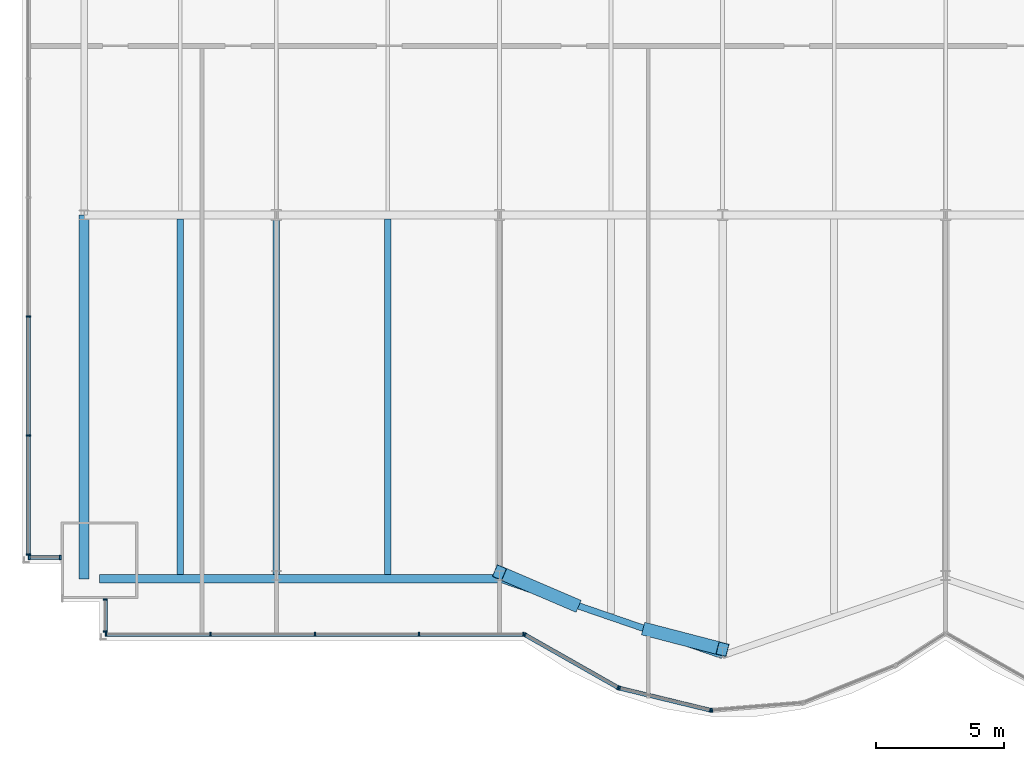
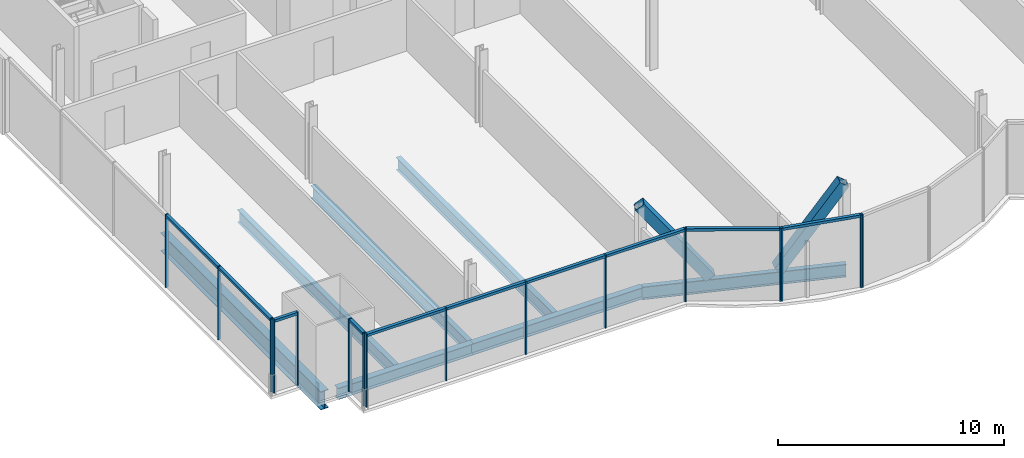
# One storey, part 4 of 21: 29 members, 7 beams, 5 elements without a shape of their own.
"""IFC4 building model written with IfcOpenShell, lengths in metres."""

from ifc_helpers import new_model, si_unit, direction, frame, origin, origin_2d, place, context, subcontext, project, spatial, rectangle, hollow_rectangle, i_section, extrude, material, material_profile, profile_set, type_object, element, aggregate, save


model = new_model("IFC4")

# Units and contexts
model_context = context("Model", 3, precision=1e-05, world=origin(), true_north=direction((0.0, 1.0)))
body_context = subcontext(model_context, "Body", "Model", "MODEL_VIEW")
ifc_project = project(units=[si_unit("LENGTHUNIT", "METRE"), si_unit("AREAUNIT", "SQUARE_METRE"), si_unit("VOLUMEUNIT", "CUBIC_METRE"), si_unit("PLANEANGLEUNIT", "RADIAN"), si_unit("MASSUNIT", "GRAM", prefix="KILO")], contexts=[model_context])

# Site, building, storey
site_placement = place(None, origin())
site = spatial("IfcSite", under=ifc_project, at=site_placement, CompositionType="ELEMENT")
building_placement = place(site_placement, origin())
building = spatial("IfcBuilding", under=site, at=building_placement, Name="Bicima Exchange Tower", CompositionType="ELEMENT")
storey_placement = place(building_placement, frame((0.0, 0.0, 98.10009765625)))
storey = spatial("IfcBuildingStorey", under=building, at=storey_placement, Name="L20", CompositionType="ELEMENT", Elevation=98.10009765625)

# Curtain wall, members
ifc_material_1 = material(Name="Anodised bronze aluminium", Category="aluminium")
curtain_wall_type_1 = type_object("IfcCurtainWallType", Name="End face glass wall", PredefinedType="NOTDEFINED", material=ifc_material_1)
curtain_wall_1_placement = place(storey_placement, origin())
curtain_wall_1 = element("IfcCurtainWall", 1, at=curtain_wall_1_placement, inside=storey, type_object=curtain_wall_type_1, Name="End face glass wall L20 run 2", PredefinedType="NOTDEFINED")
ifc_material_profile_1 = material_profile(ifc_material_1, rectangle(XDim=0.159912109375, YDim=0.06005859375, at=origin_2d()))
ifc_profile_set_1 = profile_set([ifc_material_profile_1], Name="Anodised bronze aluminium")
member_type_1 = type_object("IfcMemberType", Name="End face glass wall mullion 60 x 160", PredefinedType="MULLION", material=ifc_profile_set_1)
member_1_placement = place(storey_placement, frame((-35.77001953125, -25.95849609375, 0.0), z_axis=(0.0, 0.0, 1.0), x_axis=(1.0, 0.0, 0.0)))
member_1 = element("IfcMember", 2, at=member_1_placement, type_object=member_type_1, Name="End face glass wall mullion 4", PredefinedType="MULLION", context=body_context, shape_type="SweptSolid", body=[
    extrude(rectangle(XDim=0.159912109375, YDim=0.06005859375, at=origin_2d()), origin(), (0.0, 0.0, 1.0), 3.949951171875),
])
member_2_placement = place(storey_placement, frame((-35.77001953125, -30.601318359375, 0.0), z_axis=(0.0, 0.0, 1.0), x_axis=(1.0, 0.0, 0.0)))
member_2 = element("IfcMember", 3, at=member_2_placement, type_object=member_type_1, Name="End face glass wall mullion 5", PredefinedType="MULLION", context=body_context, shape_type="SweptSolid", body=[
    extrude(rectangle(XDim=0.159912109375, YDim=0.06005859375, at=origin_2d()), origin(), (0.0, 0.0, 1.0), 3.949951171875),
])
member_3_placement = place(storey_placement, frame((-35.77001953125, -35.243896484375, 0.0), z_axis=(0.0, 0.0, 1.0), x_axis=(1.0, 0.0, 0.0)))
member_3 = element("IfcMember", 4, at=member_3_placement, type_object=member_type_1, Name="End face glass wall mullion 6", PredefinedType="MULLION", context=body_context, shape_type="SweptSolid", body=[
    extrude(rectangle(XDim=0.159912109375, YDim=0.06005859375, at=origin_2d()), origin(), (0.0, 0.0, 1.0), 3.949951171875),
])
ifc_material_profile_2 = material_profile(ifc_material_1, rectangle(XDim=0.159912109375, YDim=0.139892578125, at=origin_2d()))
ifc_profile_set_2 = profile_set([ifc_material_profile_2], Name="Anodised bronze aluminium")
member_type_2 = type_object("IfcMemberType", Name="End face glass wall transom 140 x 160", PredefinedType="USERDEFINED", material=ifc_profile_set_2)
member_4_placement = place(storey_placement, frame((-35.77001953125, -25.98828125, 3.8798828125), z_axis=(0.0, -1.0, 0.0), x_axis=(1.0, 0.0, 0.0)))
member_4 = element("IfcMember", 5, at=member_4_placement, type_object=member_type_2, Name="End face glass wall transom 4.1", ObjectType="TRANSOM", PredefinedType="USERDEFINED", context=body_context, shape_type="SweptSolid", body=[
    extrude(rectangle(XDim=0.159912109375, YDim=0.139892578125, at=origin_2d()), origin(), (0.0, 0.0, 1.0), 4.5830078125),
])
member_5_placement = place(storey_placement, frame((-35.77001953125, -30.631103515625, 3.8798828125), z_axis=(0.0, -1.0, 0.0), x_axis=(1.0, 0.0, 0.0)))
member_5 = element("IfcMember", 6, at=member_5_placement, type_object=member_type_2, Name="End face glass wall transom 5.1", ObjectType="TRANSOM", PredefinedType="USERDEFINED", context=body_context, shape_type="SweptSolid", body=[
    extrude(rectangle(XDim=0.159912109375, YDim=0.139892578125, at=origin_2d()), origin(), (0.0, 0.0, 1.0), 4.5830078125),
])
aggregate(curtain_wall_1, [member_1, member_2, member_3, member_4, member_5])

# Beams
ifc_material_2 = material(Name="Steel ASTM A992 Gr 50", Category="steel")
ifc_material_profile_3 = material_profile(ifc_material_2, i_section(OverallWidth=0.4013671875, OverallDepth=0.990478515625, WebThickness=0.0166015625, FlangeThickness=0.031005859375, at=origin_2d()))
ifc_profile_set_3 = profile_set([ifc_material_profile_3], Name="Steel ASTM A992 Gr 50")
beam_type_1 = type_object("IfcBeamType", Name="End girder W40x215", PredefinedType="BEAM", material=ifc_profile_set_3)
beam_1_placement = place(storey_placement, frame((-33.60009765625, -22.0, -0.6455078125), z_axis=(0.0, -1.0, 0.0), x_axis=(1.0, 0.0, 0.0)))
element("IfcBeam", 7, at=beam_1_placement, inside=storey, type_object=beam_type_1, Name="End girder", PredefinedType="BEAM", context=body_context, shape_type="SweptSolid", body=[
    extrude(i_section(OverallWidth=0.4013671875, OverallDepth=0.990478515625, WebThickness=0.0166015625, FlangeThickness=0.031005859375, at=origin_2d()), origin(), (0.0, 0.0, 1.0), 14.18408203125),
])
ifc_material_profile_4 = material_profile(ifc_material_2, i_section(OverallWidth=0.25390625, OverallDepth=0.67822265625, WebThickness=0.01171875, FlangeThickness=0.016357421875, at=origin_2d()))
ifc_profile_set_4 = profile_set([ifc_material_profile_4], Name="Steel ASTM A992 Gr 50")
beam_type_2 = type_object("IfcBeamType", Name="Floor beam W27x84", PredefinedType="JOIST", material=ifc_profile_set_4)
for number, where, z_axis, x_axis, name in (
    (8, (-29.85009765625, -22.16259765625, -0.4892578125), (0.0, -1.0, 0.0), (1.0, 0.0, 0.0), "Floor beam"),
    (9, (-26.10009765625, -22.16259765625, -0.4892578125), (0.0, -1.0, 0.0), (1.0, 0.0, 0.0), "Floor beam"),
    (10, (-21.75, -22.16259765625, -0.4892578125), (0.0, -1.0, 0.0), (1.0, 0.0, 0.0), "Floor beam"),
):
    element("IfcBeam", number, at=place(storey_placement, frame(where, z_axis=z_axis, x_axis=x_axis)), inside=storey, type_object=beam_type_2, Name=name, PredefinedType="JOIST", context=body_context, shape_type="SweptSolid", body=[
        extrude(i_section(OverallWidth=0.25390625, OverallDepth=0.67822265625, WebThickness=0.01171875, FlangeThickness=0.016357421875, at=origin_2d()), origin(), (0.0, 0.0, 1.0), 13.85888671875),
    ])
ifc_material_profile_5 = material_profile(ifc_material_2, i_section(OverallWidth=0.3251953125, OverallDepth=0.612060546875, WebThickness=0.0126953125, FlangeThickness=0.01904296875, at=origin_2d()))
ifc_profile_set_5 = profile_set([ifc_material_profile_5], Name="Steel ASTM A992 Gr 50")
beam_type_3 = type_object("IfcBeamType", Name="Front girder W24x104", PredefinedType="BEAM", material=ifc_profile_set_5)
beam_2_placement = place(storey_placement, frame((-33.0, -36.18408203125, -0.456298828125), z_axis=(1.0, 0.0, 0.0), x_axis=(0.0, 1.0, 0.0)))
element("IfcBeam", 11, at=beam_2_placement, inside=storey, type_object=beam_type_3, Name="Front girder", PredefinedType="BEAM", context=body_context, shape_type="SweptSolid", body=[
    extrude(i_section(OverallWidth=0.3251953125, OverallDepth=0.612060546875, WebThickness=0.0126953125, FlangeThickness=0.01904296875, at=origin_2d()), origin(), (0.0, 0.0, 1.0), 6.89990234375),
])
beam_3_placement = place(storey_placement, frame((-26.10009765625, -36.18408203125, -0.456298828125), z_axis=(1.0, 0.0, 0.0), x_axis=(0.0, 1.0, 0.0)))
element("IfcBeam", 12, at=beam_3_placement, inside=storey, type_object=beam_type_3, Name="Front girder", PredefinedType="BEAM", context=body_context, shape_type="SweptSolid", body=[
    extrude(i_section(OverallWidth=0.3251953125, OverallDepth=0.612060546875, WebThickness=0.0126953125, FlangeThickness=0.01904296875, at=origin_2d()), origin(), (0.0, 0.0, 1.0), 8.7001953125),
])
ifc_material_profile_6 = material_profile(ifc_material_2, i_section(OverallWidth=0.256591796875, OverallDepth=0.693359375, WebThickness=0.014404296875, FlangeThickness=0.023681640625, at=origin_2d()))
ifc_profile_set_6 = profile_set([ifc_material_profile_6], Name="Steel ASTM A992 Gr 50")
beam_type_4 = type_object("IfcBeamType", Name="Front girder W27x114", PredefinedType="BEAM", material=ifc_profile_set_6)
beam_4_placement = place(storey_placement, frame((-17.39990234375, -36.18408203125, -0.496826171875), z_axis=(0.945674616091, -0.32511462668, 0.0), x_axis=(0.32511462668, 0.945674616091, 0.0)))
element("IfcBeam", 13, at=beam_4_placement, inside=storey, type_object=beam_type_4, Name="Front girder", PredefinedType="BEAM", context=body_context, shape_type="SweptSolid", body=[
    extrude(i_section(OverallWidth=0.256591796875, OverallDepth=0.693359375, WebThickness=0.014404296875, FlangeThickness=0.023681640625, at=origin_2d()), origin(), (0.0, 0.0, 1.0), 9.19970703125),
])

# Curtain wall, members
curtain_wall_type_2 = type_object("IfcCurtainWallType", Name="Front glass wall", PredefinedType="NOTDEFINED", material=ifc_material_1)
curtain_wall_2_placement = place(storey_placement, origin())
curtain_wall_2 = element("IfcCurtainWall", 14, at=curtain_wall_2_placement, inside=storey, type_object=curtain_wall_type_2, Name="Front glass wall L20 run 3", PredefinedType="NOTDEFINED")
member_type_3 = type_object("IfcMemberType", Name="Front glass wall mullion 60 x 160", PredefinedType="MULLION", material=ifc_profile_set_1)
member_6_placement = place(storey_placement, frame((-35.739990234375, -35.35400390625, 0.0), z_axis=(0.0, 0.0, 1.0), x_axis=(0.0, 1.0, 0.0)))
member_6 = element("IfcMember", 15, at=member_6_placement, type_object=member_type_3, Name="Front glass wall mullion 1", PredefinedType="MULLION", context=body_context, shape_type="SweptSolid", body=[
    extrude(rectangle(XDim=0.159912109375, YDim=0.06005859375, at=origin_2d()), origin(), (0.0, 0.0, 1.0), 3.949951171875),
])
member_7_placement = place(storey_placement, frame((-34.530029296875, -35.35400390625, 0.0), z_axis=(0.0, 0.0, 1.0), x_axis=(0.0, 1.0, 0.0)))
member_7 = element("IfcMember", 16, at=member_7_placement, type_object=member_type_3, Name="Front glass wall mullion 2", PredefinedType="MULLION", context=body_context, shape_type="SweptSolid", body=[
    extrude(rectangle(XDim=0.159912109375, YDim=0.06005859375, at=origin_2d()), origin(), (0.0, 0.0, 1.0), 3.949951171875),
])

curtain_wall_3_placement = place(storey_placement, origin())
curtain_wall_3 = element("IfcCurtainWall", 17, at=curtain_wall_3_placement, inside=storey, type_object=curtain_wall_type_2, Name="Front glass wall L20 run 4", PredefinedType="NOTDEFINED")
member_8_placement = place(storey_placement, frame((-32.77001953125, -36.991943359375, 0.0), z_axis=(0.0, 0.0, 1.0), x_axis=(1.0, 0.0, 0.0)))
member_8 = element("IfcMember", 18, at=member_8_placement, type_object=member_type_3, Name="Front glass wall mullion 1", PredefinedType="MULLION", context=body_context, shape_type="SweptSolid", body=[
    extrude(rectangle(XDim=0.159912109375, YDim=0.06005859375, at=origin_2d()), origin(), (0.0, 0.0, 1.0), 3.949951171875),
])
member_9_placement = place(storey_placement, frame((-32.77001953125, -38.243896484375, 0.0), z_axis=(0.0, 0.0, 1.0), x_axis=(1.0, 0.0, 0.0)))
member_9 = element("IfcMember", 19, at=member_9_placement, type_object=member_type_3, Name="Front glass wall mullion 2", PredefinedType="MULLION", context=body_context, shape_type="SweptSolid", body=[
    extrude(rectangle(XDim=0.159912109375, YDim=0.06005859375, at=origin_2d()), origin(), (0.0, 0.0, 1.0), 3.949951171875),
])

curtain_wall_4_placement = place(storey_placement, origin())
curtain_wall_4 = element("IfcCurtainWall", 20, at=curtain_wall_4_placement, inside=storey, type_object=curtain_wall_type_2, Name="Front glass wall L20 run 5", PredefinedType="NOTDEFINED")
member_10_placement = place(storey_placement, frame((-32.739990234375, -38.35400390625, 0.0), z_axis=(0.0, 0.0, 1.0), x_axis=(0.0, 1.0, 0.0)))
member_10 = element("IfcMember", 21, at=member_10_placement, type_object=member_type_3, Name="Front glass wall mullion 1", PredefinedType="MULLION", context=body_context, shape_type="SweptSolid", body=[
    extrude(rectangle(XDim=0.159912109375, YDim=0.06005859375, at=origin_2d()), origin(), (0.0, 0.0, 1.0), 3.949951171875),
])
member_11_placement = place(storey_placement, frame((-28.67041015625, -38.35400390625, 0.0), z_axis=(0.0, 0.0, 1.0), x_axis=(0.0, 1.0, 0.0)))
member_11 = element("IfcMember", 22, at=member_11_placement, type_object=member_type_3, Name="Front glass wall mullion 2", PredefinedType="MULLION", context=body_context, shape_type="SweptSolid", body=[
    extrude(rectangle(XDim=0.159912109375, YDim=0.06005859375, at=origin_2d()), origin(), (0.0, 0.0, 1.0), 3.949951171875),
])
member_12_placement = place(storey_placement, frame((-24.60107421875, -38.35400390625, 0.0), z_axis=(0.0, 0.0, 1.0), x_axis=(0.0, 1.0, 0.0)))
member_12 = element("IfcMember", 23, at=member_12_placement, type_object=member_type_3, Name="Front glass wall mullion 3", PredefinedType="MULLION", context=body_context, shape_type="SweptSolid", body=[
    extrude(rectangle(XDim=0.159912109375, YDim=0.06005859375, at=origin_2d()), origin(), (0.0, 0.0, 1.0), 3.949951171875),
])
member_13_placement = place(storey_placement, frame((-20.531494140625, -38.35400390625, 0.0), z_axis=(0.0, 0.0, 1.0), x_axis=(0.0, 1.0, 0.0)))
member_13 = element("IfcMember", 24, at=member_13_placement, type_object=member_type_3, Name="Front glass wall mullion 4", PredefinedType="MULLION", context=body_context, shape_type="SweptSolid", body=[
    extrude(rectangle(XDim=0.159912109375, YDim=0.06005859375, at=origin_2d()), origin(), (0.0, 0.0, 1.0), 3.949951171875),
])
member_14_placement = place(storey_placement, frame((-16.462158203125, -38.35400390625, 0.0), z_axis=(0.0, 0.0, 1.0), x_axis=(0.0, 1.0, 0.0)))
member_14 = element("IfcMember", 25, at=member_14_placement, type_object=member_type_3, Name="Front glass wall mullion 5", PredefinedType="MULLION", context=body_context, shape_type="SweptSolid", body=[
    extrude(rectangle(XDim=0.159912109375, YDim=0.06005859375, at=origin_2d()), origin(), (0.0, 0.0, 1.0), 3.949951171875),
])

curtain_wall_5_placement = place(storey_placement, origin())
curtain_wall_5 = element("IfcCurtainWall", 26, at=curtain_wall_5_placement, inside=storey, type_object=curtain_wall_type_2, Name="Front glass wall L20 run 6", PredefinedType="NOTDEFINED")
member_15_placement = place(storey_placement, frame((-16.406005859375, -38.368896484375, 0.0), z_axis=(0.0, 0.0, 1.0), x_axis=(0.493395449343, 0.869805110681, 0.0)))
member_15 = element("IfcMember", 27, at=member_15_placement, type_object=member_type_3, Name="Front glass wall mullion 1", PredefinedType="MULLION", context=body_context, shape_type="SweptSolid", body=[
    extrude(rectangle(XDim=0.159912109375, YDim=0.06005859375, at=origin_2d()), origin(), (0.0, 0.0, 1.0), 3.949951171875),
])
member_16_placement = place(storey_placement, frame((-12.7734375, -40.429443359375, 0.0), z_axis=(0.0, 0.0, 1.0), x_axis=(0.493395449343, 0.869805110681, 0.0)))
member_16 = element("IfcMember", 28, at=member_16_placement, type_object=member_type_3, Name="Front glass wall mullion 2", PredefinedType="MULLION", context=body_context, shape_type="SweptSolid", body=[
    extrude(rectangle(XDim=0.159912109375, YDim=0.06005859375, at=origin_2d()), origin(), (0.0, 0.0, 1.0), 3.949951171875),
])
member_17_placement = place(storey_placement, frame((-12.718017578125, -40.451416015625, 0.0), z_axis=(0.0, 0.0, 1.0), x_axis=(0.235681529503, 0.971830343553, 0.0)))
member_17 = element("IfcMember", 29, at=member_17_placement, type_object=member_type_3, Name="Front glass wall mullion 1", PredefinedType="MULLION", context=body_context, shape_type="SweptSolid", body=[
    extrude(rectangle(XDim=0.159912109375, YDim=0.06005859375, at=origin_2d()), origin(), (0.0, 0.0, 1.0), 3.949951171875),
])
member_18_placement = place(storey_placement, frame((-9.177490234375, -41.309814453125, 0.0), z_axis=(0.0, 0.0, 1.0), x_axis=(0.235681529503, 0.971830343553, 0.0)))
member_18 = element("IfcMember", 30, at=member_18_placement, type_object=member_type_3, Name="Front glass wall mullion 2", PredefinedType="MULLION", context=body_context, shape_type="SweptSolid", body=[
    extrude(rectangle(XDim=0.159912109375, YDim=0.06005859375, at=origin_2d()), origin(), (0.0, 0.0, 1.0), 3.949951171875),
])
member_19_placement = place(storey_placement, frame((-9.118408203125, -41.314697265625, 0.0), z_axis=(0.0, 0.0, 1.0), x_axis=(-0.080588612633, 0.99674744821, 0.0)))
member_19 = element("IfcMember", 31, at=member_19_placement, type_object=member_type_3, Name="Front glass wall mullion 1", PredefinedType="MULLION", context=body_context, shape_type="SweptSolid", body=[
    extrude(rectangle(XDim=0.159912109375, YDim=0.06005859375, at=origin_2d()), origin(), (0.0, 0.0, 1.0), 3.949951171875),
])

# Member
member_type_4 = type_object("IfcMemberType", Name="Front glass wall transom 140 x 160", PredefinedType="USERDEFINED", material=ifc_profile_set_2)
member_20_placement = place(storey_placement, frame((-35.7099609375, -35.35400390625, 3.8798828125), z_axis=(1.0, 0.0, 0.0), x_axis=(0.0, 1.0, 0.0)))
member_20 = element("IfcMember", 32, at=member_20_placement, type_object=member_type_4, Name="Front glass wall transom 1.1", ObjectType="TRANSOM", PredefinedType="USERDEFINED", context=body_context, shape_type="SweptSolid", body=[
    extrude(rectangle(XDim=0.159912109375, YDim=0.139892578125, at=origin_2d()), origin(), (0.0, 0.0, 1.0), 1.14990234375),
])

aggregate(curtain_wall_2, [member_6, member_7, member_20])

member_21_placement = place(storey_placement, frame((-32.77001953125, -37.02197265625, 3.8798828125), z_axis=(0.0, -1.0, 0.0), x_axis=(1.0, 0.0, 0.0)))
member_21 = element("IfcMember", 33, at=member_21_placement, type_object=member_type_4, Name="Front glass wall transom 1.1", ObjectType="TRANSOM", PredefinedType="USERDEFINED", context=body_context, shape_type="SweptSolid", body=[
    extrude(rectangle(XDim=0.159912109375, YDim=0.139892578125, at=origin_2d()), origin(), (0.0, 0.0, 1.0), 1.192138671875),
])

aggregate(curtain_wall_3, [member_8, member_9, member_21])

member_22_placement = place(storey_placement, frame((-32.7099609375, -38.35400390625, 3.8798828125), z_axis=(1.0, 0.0, 0.0), x_axis=(0.0, 1.0, 0.0)))
member_22 = element("IfcMember", 34, at=member_22_placement, type_object=member_type_4, Name="Front glass wall transom 1.1", ObjectType="TRANSOM", PredefinedType="USERDEFINED", context=body_context, shape_type="SweptSolid", body=[
    extrude(rectangle(XDim=0.159912109375, YDim=0.139892578125, at=origin_2d()), origin(), (0.0, 0.0, 1.0), 4.009521484375),
])

member_23_placement = place(storey_placement, frame((-28.640380859375, -38.35400390625, 3.8798828125), z_axis=(1.0, 0.0, 0.0), x_axis=(0.0, 1.0, 0.0)))
member_23 = element("IfcMember", 35, at=member_23_placement, type_object=member_type_4, Name="Front glass wall transom 2.1", ObjectType="TRANSOM", PredefinedType="USERDEFINED", context=body_context, shape_type="SweptSolid", body=[
    extrude(rectangle(XDim=0.159912109375, YDim=0.139892578125, at=origin_2d()), origin(), (0.0, 0.0, 1.0), 4.00927734375),
])

member_24_placement = place(storey_placement, frame((-24.571044921875, -38.35400390625, 3.8798828125), z_axis=(1.0, 0.0, 0.0), x_axis=(0.0, 1.0, 0.0)))
member_24 = element("IfcMember", 36, at=member_24_placement, type_object=member_type_4, Name="Front glass wall transom 3.1", ObjectType="TRANSOM", PredefinedType="USERDEFINED", context=body_context, shape_type="SweptSolid", body=[
    extrude(rectangle(XDim=0.159912109375, YDim=0.139892578125, at=origin_2d()), origin(), (0.0, 0.0, 1.0), 4.009521484375),
])

member_25_placement = place(storey_placement, frame((-20.501708984375, -38.35400390625, 3.8798828125), z_axis=(1.0, 0.0, 0.0), x_axis=(0.0, 1.0, 0.0)))
member_25 = element("IfcMember", 37, at=member_25_placement, type_object=member_type_4, Name="Front glass wall transom 4.1", ObjectType="TRANSOM", PredefinedType="USERDEFINED", context=body_context, shape_type="SweptSolid", body=[
    extrude(rectangle(XDim=0.159912109375, YDim=0.139892578125, at=origin_2d()), origin(), (0.0, 0.0, 1.0), 4.009521484375),
])

aggregate(curtain_wall_4, [member_10, member_11, member_12, member_13, member_14, member_22, member_23, member_24, member_25])

member_26_placement = place(storey_placement, frame((-16.3798828125, -38.383544921875, 3.8798828125), z_axis=(0.869797371721, -0.49340909208, 0.0), x_axis=(0.49340909208, 0.869797371721, 0.0)))
member_26 = element("IfcMember", 38, at=member_26_placement, type_object=member_type_4, Name="Front glass wall transom 1.1", ObjectType="TRANSOM", PredefinedType="USERDEFINED", context=body_context, shape_type="SweptSolid", body=[
    extrude(rectangle(XDim=0.159912109375, YDim=0.139892578125, at=origin_2d()), origin(), (0.0, 0.0, 1.0), 4.1162109375),
])

member_27_placement = place(storey_placement, frame((-12.68896484375, -40.458251953125, 3.8798828125), z_axis=(0.971817951661, -0.235732621477, 0.0), x_axis=(0.235732621477, 0.971817951661, 0.0)))
member_27 = element("IfcMember", 39, at=member_27_placement, type_object=member_type_4, Name="Front glass wall transom 1.1", ObjectType="TRANSOM", PredefinedType="USERDEFINED", context=body_context, shape_type="SweptSolid", body=[
    extrude(rectangle(XDim=0.159912109375, YDim=0.139892578125, at=origin_2d()), origin(), (0.0, 0.0, 1.0), 3.58349609375),
])

aggregate(curtain_wall_5, [member_15, member_16, member_26, member_17, member_18, member_27, member_19])

# Members
ifc_material_3 = material(Name="Steel ASTM A572 Gr 50", Category="steel")
ifc_material_profile_7 = material_profile(ifc_material_3, hollow_rectangle(XDim=0.508056640625, YDim=0.508056640625, WallThickness=0.0146484375, at=origin_2d()))
ifc_profile_set_7 = profile_set([ifc_material_profile_7], Name="Steel ASTM A572 Gr 50")
member_type_5 = type_object("IfcMemberType", Name="Mega brace HSS20x20x5/8", PredefinedType="BRACE", material=ifc_profile_set_7)
member_28_placement = place(storey_placement, frame((-11.60009765625, -38.177978515625, 0.0), z_axis=(0.571110577568, -0.148318556427, 0.807362566639), x_axis=(0.251363668904, 0.967892714073, 0.0)))
element("IfcMember", 40, at=member_28_placement, inside=storey, type_object=member_type_5, Name="Mega brace front", PredefinedType="BRACE", context=body_context, shape_type="SweptSolid", body=[
    extrude(hollow_rectangle(XDim=0.508056640625, YDim=0.508056640625, WallThickness=0.0146484375, at=origin_2d()), origin(), (0.0, 0.0, 1.0), 5.078125),
])
member_29_placement = place(storey_placement, frame((-14.5, -37.180908203125, 0.0), z_axis=(-0.560602039363, 0.239900670659, 0.79257366956), x_axis=(-0.393424148395, -0.919357079409, 0.0)))
element("IfcMember", 41, at=member_29_placement, inside=storey, type_object=member_type_5, Name="Mega brace front", PredefinedType="BRACE", context=body_context, shape_type="SweptSolid", body=[
    extrude(hollow_rectangle(XDim=0.508056640625, YDim=0.508056640625, WallThickness=0.0146484375, at=origin_2d()), origin(), (0.0, 0.0, 1.0), 5.1728515625),
])

save(model, "model.ifc")
